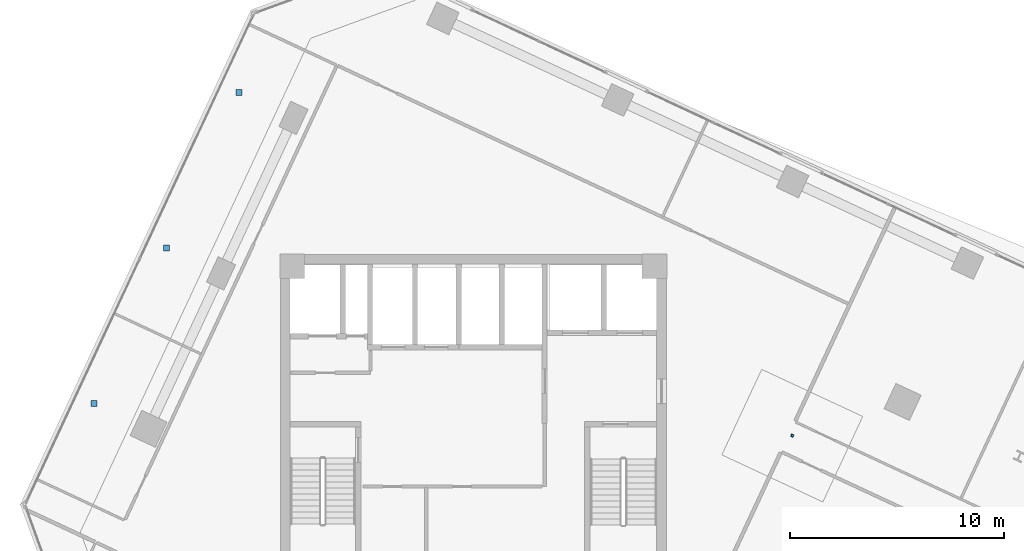
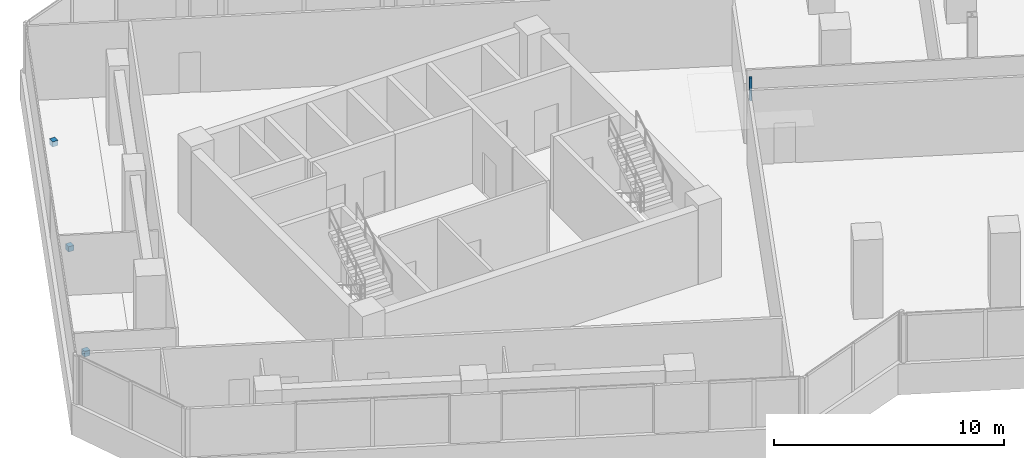
# One storey, part 19 of 23: 4 discrete accessories.
"""IFC4 building model written with IfcOpenShell, lengths in metres."""

from ifc_helpers import new_model, si_unit, direction, frame, origin, origin_2d, place, context, subcontext, project, spatial, rectangle, extrude, source, transform, mapped, material, type_object, element, save


model = new_model("IFC4")

# Units and contexts
model_context = context("Model", 3, precision=1e-05, world=origin(), true_north=direction((0.0, 1.0)))
body_context = subcontext(model_context, "Body", "Model", "MODEL_VIEW")
ifc_project = project(units=[si_unit("LENGTHUNIT", "METRE"), si_unit("AREAUNIT", "SQUARE_METRE"), si_unit("VOLUMEUNIT", "CUBIC_METRE"), si_unit("PLANEANGLEUNIT", "RADIAN"), si_unit("MASSUNIT", "GRAM", prefix="KILO")], contexts=[model_context])

# Site, building, storey
site_placement = place(None, origin())
site = spatial("IfcSite", under=ifc_project, at=site_placement, CompositionType="ELEMENT")
building_placement = place(site_placement, origin())
building = spatial("IfcBuilding", under=site, at=building_placement, Name="Torre Montelarca", CompositionType="ELEMENT")
storey_placement = place(building_placement, frame((0.0, 0.0, 154.0)))
storey = spatial("IfcBuildingStorey", under=building, at=storey_placement, Name="L34", CompositionType="ELEMENT", Elevation=154.0)

# Discrete accessories
ifc_material_1 = material(Name="Stainless steel AISI 316", Category="steel")
discrete_accessory_type_1 = type_object("IfcDiscreteAccessoryType", Name="ACC-BRACKET-SS", PredefinedType="BRACKET", material=ifc_material_1)
shared_shape_1 = source(origin(), body_context, "Body", "SweptSolid", [
    extrude(rectangle(XDim=0.280029296875, YDim=0.280029296875, at=origin_2d()), origin(), (0.0, 0.0, 1.0), 0.280029296875),
])
for number, where, z_axis, x_axis, name in (
    (1, (0.31005859375, 33.053955078125, -0.27978515625), (0.0, 0.0, 1.0), (1.0, 0.0, 0.0), "L34 Raker End Connection Bracket W1-HD"),
    (2, (3.691162109375, 40.304443359375, -0.27978515625), (0.0, 0.0, 1.0), (1.0, 0.0, 0.0), "L34 Raker End Connection Bracket W2-HD"),
    (3, (7.072021484375, 47.554931640625, -0.27978515625), (0.0, 0.0, 1.0), (1.0, 0.0, 0.0), "L34 Raker End Connection Bracket W3-HD"),
):
    element("IfcDiscreteAccessory", number, at=place(storey_placement, frame(where, z_axis=z_axis, x_axis=x_axis)), inside=storey, type_object=discrete_accessory_type_1, Name=name, PredefinedType="BRACKET", context=body_context, shape_type="MappedRepresentation", body=[
        mapped(shared_shape_1, transform((0.0, 0.0, 0.0), scale=1.0)),
    ])
ifc_material_2 = material(Name="Galvanized steel suspension hanger", Category="steel")
discrete_accessory_type_2 = type_object("IfcDiscreteAccessoryType", Name="ACC-CEIL-HNG", PredefinedType="BRACKET", material=ifc_material_2)
shared_shape_2 = source(origin(), body_context, "Body", "SweptSolid", [
    extrude(rectangle(XDim=0.1201171875, YDim=0.1201171875, at=origin_2d()), origin(), (0.0, 0.0, 1.0), 1.219970703125),
])
discrete_accessory_placement = place(storey_placement, frame((32.875732421875, 31.55029296875, 2.76025390625), z_axis=(0.0, 0.0, 1.0), x_axis=(-0.906307787037, 0.422618261741, 0.0)))
element("IfcDiscreteAccessory", 4, at=discrete_accessory_placement, inside=storey, type_object=discrete_accessory_type_2, Name="L34 Suspended Ceiling Hanger Bracket 01", PredefinedType="BRACKET", context=body_context, shape_type="MappedRepresentation", body=[
    mapped(shared_shape_2, transform((0.0, 0.0, 0.0), scale=1.0)),
])

save(model, "model.ifc")
